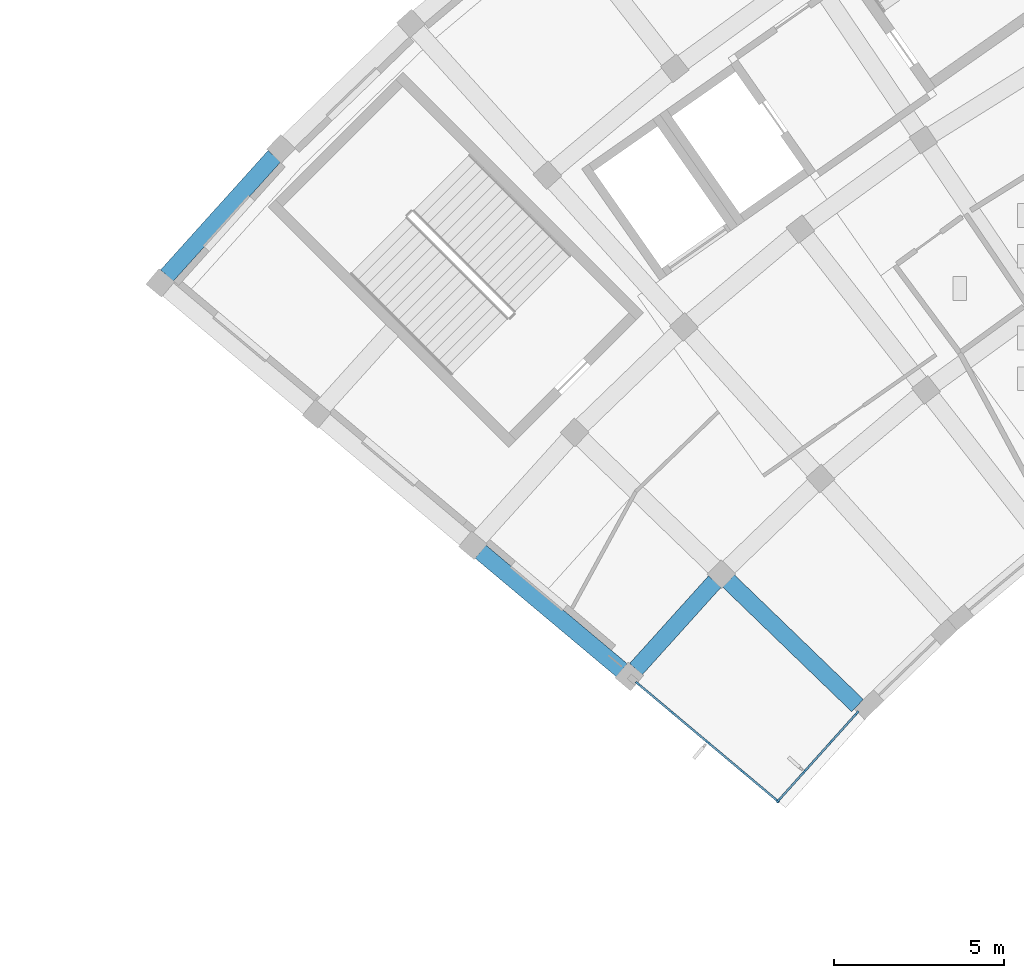
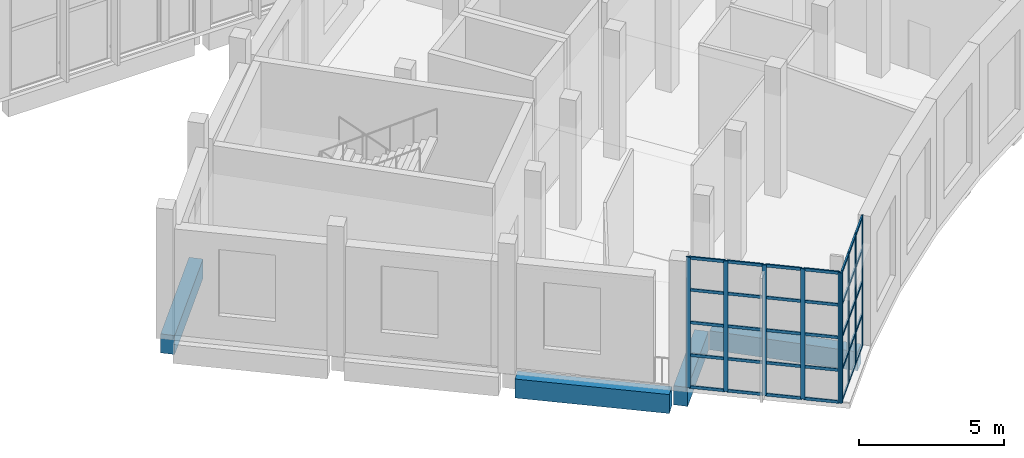
# One storey, part 3 of 132: 44 members, 4 beams, 2 elements without a shape of their own.
"""IFC4 building model written with IfcOpenShell, lengths in metres."""

from ifc_helpers import new_model, si_unit, direction, frame, origin, origin_2d, place, context, subcontext, project, spatial, rectangle, extrude, material, layer, layer_set, material_profile, profile_set, type_object, element, aggregate, save


model = new_model("IFC4")

# Units and contexts
model_context = context("Model", 3, precision=1e-05, world=origin(), true_north=direction((0.0, 1.0)))
body_context = subcontext(model_context, "Body", "Model", "MODEL_VIEW")
ifc_project = project(units=[si_unit("LENGTHUNIT", "METRE"), si_unit("AREAUNIT", "SQUARE_METRE"), si_unit("VOLUMEUNIT", "CUBIC_METRE"), si_unit("PLANEANGLEUNIT", "RADIAN"), si_unit("MASSUNIT", "GRAM", prefix="KILO")], contexts=[model_context])

# Site, building, storey
site_placement = place(None, origin())
site = spatial("IfcSite", under=ifc_project, at=site_placement, CompositionType="ELEMENT")
building_placement = place(site_placement, origin())
building = spatial("IfcBuilding", under=site, at=building_placement, Name="Lunette Opera House", CompositionType="ELEMENT")
storey_placement = place(building_placement, frame((0.0, 0.0, 17.0)))
storey = spatial("IfcBuildingStorey", under=building, at=storey_placement, Name="L03", CompositionType="ELEMENT", Elevation=17.0)

# Curtain wall, members
ifc_material_1 = material(Name="Aluminium", Category="aluminium")
ifc_layer = layer(ifc_material_1, 0.159912109375)
ifc_layer_set = layer_set([ifc_layer], Name="Aluminium")
curtain_wall_type = type_object("IfcCurtainWallType", Name="CORNER CURTAIN WALL", PredefinedType="NOTDEFINED", material=ifc_layer_set)
curtain_wall_1_placement = place(storey_placement, origin())
curtain_wall_1 = element("IfcCurtainWall", 1, at=curtain_wall_1_placement, inside=storey, type_object=curtain_wall_type, Name="Corner Curtain Wall GC-W1 L03", PredefinedType="NOTDEFINED")
ifc_material_2 = material(Name="Aluminium", Category="aluminium")
ifc_material_profile_1 = material_profile(ifc_material_2, rectangle(XDim=0.06005859375, YDim=0.159912109375, at=origin_2d()), Name="MULLION 60 X 160")
ifc_profile_set_1 = profile_set([ifc_material_profile_1], Name="Aluminium")
member_type_1 = type_object("IfcMemberType", Name="MULLION 60 X 160", PredefinedType="MULLION", material=ifc_profile_set_1)
member_1_placement = place(storey_placement, frame((58.25390625, 36.20068359375, 0.0), z_axis=(0.0, 0.0, 1.0), x_axis=(0.744216793887, -0.667938143615, 0.0)))
member_1 = element("IfcMember", 2, at=member_1_placement, type_object=member_type_1, Name="FC-X2167 mullion 1", PredefinedType="MULLION", context=body_context, shape_type="SweptSolid", body=[
    extrude(rectangle(XDim=0.06005859375, YDim=0.159912109375, at=origin_2d()), origin(), (0.0, 0.0, 1.0), 5.5),
])
member_2_placement = place(storey_placement, frame((57.49462890625, 35.354736328125, 0.0), z_axis=(0.0, 0.0, 1.0), x_axis=(0.744216793887, -0.667938143615, 0.0)))
member_2 = element("IfcMember", 3, at=member_2_placement, type_object=member_type_1, Name="FC-X2167 mullion 2", PredefinedType="MULLION", context=body_context, shape_type="SweptSolid", body=[
    extrude(rectangle(XDim=0.06005859375, YDim=0.159912109375, at=origin_2d()), origin(), (0.0, 0.0, 1.0), 5.5),
])
member_3_placement = place(storey_placement, frame((56.71533203125, 34.486328125, 0.0), z_axis=(0.0, 0.0, 1.0), x_axis=(0.744216793887, -0.667938143615, 0.0)))
member_3 = element("IfcMember", 4, at=member_3_placement, type_object=member_type_1, Name="FC-X2167 mullion 3", PredefinedType="MULLION", context=body_context, shape_type="SweptSolid", body=[
    extrude(rectangle(XDim=0.06005859375, YDim=0.159912109375, at=origin_2d()), origin(), (0.0, 0.0, 1.0), 5.5),
])
member_4_placement = place(storey_placement, frame((55.9560546875, 33.640380859375, 0.0), z_axis=(0.0, 0.0, 1.0), x_axis=(0.744216793887, -0.667938143615, 0.0)))
member_4 = element("IfcMember", 5, at=member_4_placement, type_object=member_type_1, Name="FC-X2167 mullion 4", PredefinedType="MULLION", context=body_context, shape_type="SweptSolid", body=[
    extrude(rectangle(XDim=0.06005859375, YDim=0.159912109375, at=origin_2d()), origin(), (0.0, 0.0, 1.0), 5.5),
])

curtain_wall_2_placement = place(storey_placement, origin())
curtain_wall_2 = element("IfcCurtainWall", 6, at=curtain_wall_2_placement, inside=storey, type_object=curtain_wall_type, Name="Corner Curtain Wall GC-W2 L03", PredefinedType="NOTDEFINED")
member_5_placement = place(storey_placement, frame((55.9130859375, 33.63720703125, 0.0), z_axis=(0.0, 0.0, 1.0), x_axis=(-0.642840201999, -0.766000309852, 0.0)))
member_5 = element("IfcMember", 7, at=member_5_placement, type_object=member_type_1, Name="FC-X2168 mullion 1", PredefinedType="MULLION", context=body_context, shape_type="SweptSolid", body=[
    extrude(rectangle(XDim=0.06005859375, YDim=0.159912109375, at=origin_2d()), origin(), (0.0, 0.0, 1.0), 5.5),
])
member_6_placement = place(storey_placement, frame((54.902099609375, 34.48583984375, 0.0), z_axis=(0.0, 0.0, 1.0), x_axis=(-0.642840201999, -0.766000309852, 0.0)))
member_6 = element("IfcMember", 8, at=member_6_placement, type_object=member_type_1, Name="FC-X2168 mullion 2", PredefinedType="MULLION", context=body_context, shape_type="SweptSolid", body=[
    extrude(rectangle(XDim=0.06005859375, YDim=0.159912109375, at=origin_2d()), origin(), (0.0, 0.0, 1.0), 5.5),
])
member_7_placement = place(storey_placement, frame((53.867919921875, 35.353515625, 0.0), z_axis=(0.0, 0.0, 1.0), x_axis=(-0.642840201999, -0.766000309852, 0.0)))
member_7 = element("IfcMember", 9, at=member_7_placement, type_object=member_type_1, Name="FC-X2168 mullion 3", PredefinedType="MULLION", context=body_context, shape_type="SweptSolid", body=[
    extrude(rectangle(XDim=0.06005859375, YDim=0.159912109375, at=origin_2d()), origin(), (0.0, 0.0, 1.0), 5.5),
])
member_8_placement = place(storey_placement, frame((52.833984375, 36.22119140625, 0.0), z_axis=(0.0, 0.0, 1.0), x_axis=(-0.642840201999, -0.766000309852, 0.0)))
member_8 = element("IfcMember", 10, at=member_8_placement, type_object=member_type_1, Name="FC-X2168 mullion 4", PredefinedType="MULLION", context=body_context, shape_type="SweptSolid", body=[
    extrude(rectangle(XDim=0.06005859375, YDim=0.159912109375, at=origin_2d()), origin(), (0.0, 0.0, 1.0), 5.5),
])
member_9_placement = place(storey_placement, frame((51.822998046875, 37.06982421875, 0.0), z_axis=(0.0, 0.0, 1.0), x_axis=(-0.642840201999, -0.766000309852, 0.0)))
member_9 = element("IfcMember", 11, at=member_9_placement, type_object=member_type_1, Name="FC-X2168 mullion 5", PredefinedType="MULLION", context=body_context, shape_type="SweptSolid", body=[
    extrude(rectangle(XDim=0.06005859375, YDim=0.159912109375, at=origin_2d()), origin(), (0.0, 0.0, 1.0), 5.5),
])

# Beams
ifc_material_3 = material(Name="Concrete C35/45", Category="concrete")
ifc_material_profile_2 = material_profile(ifc_material_3, rectangle(XDim=0.5, YDim=0.800048828125, at=origin_2d()), Name="RC BEAM 500X800")
ifc_profile_set_2 = profile_set([ifc_material_profile_2], Name="Concrete C35/45")
beam_type = type_object("IfcBeamType", Name="RC BEAM 500X800", PredefinedType="BEAM", material=ifc_profile_set_2)
beam_1_placement = place(storey_placement, frame((51.346923828125, 37.468017578125, -0.6201171875), z_axis=(-0.766038417281, 0.642794790932, 0.0), x_axis=(-0.642794790932, -0.766038417281, 0.0)))
element("IfcBeam", 12, at=beam_1_placement, inside=storey, type_object=beam_type, Name="beam-FC-L03-L03-RB-RL-01-2", PredefinedType="BEAM", context=body_context, shape_type="SweptSolid", body=[
    extrude(rectangle(XDim=0.5, YDim=0.800048828125, at=origin_2d()), origin(), (0.0, 0.0, 1.0), 5.419921875),
])
beam_2_placement = place(storey_placement, frame((58.278076171875, 36.427978515625, -0.6201171875), z_axis=(-0.719321635767, 0.694677179931, 0.0), x_axis=(-0.694677179931, -0.719321635767, 0.0)))
element("IfcBeam", 13, at=beam_2_placement, inside=storey, type_object=beam_type, Name="beam-FC-L03-L03-RB-RL-02-1", PredefinedType="BEAM", context=body_context, shape_type="SweptSolid", body=[
    extrude(rectangle(XDim=0.5, YDim=0.800048828125, at=origin_2d()), origin(), (0.0, 0.0, 1.0), 5.270263671875),
])
beam_3_placement = place(storey_placement, frame((51.762939453125, 37.498046875, -0.6201171875), z_axis=(0.66939642039, 0.742905399341, 0.0), x_axis=(-0.742905399341, 0.66939642039, 0.0)))
element("IfcBeam", 14, at=beam_3_placement, inside=storey, type_object=beam_type, Name="beam-FC-L03-L03-RG-AR-M1-RL-01", PredefinedType="BEAM", context=body_context, shape_type="SweptSolid", body=[
    extrude(rectangle(XDim=0.5, YDim=0.800048828125, at=origin_2d()), origin(), (0.0, 0.0, 1.0), 3.46728515625),
])
beam_4_placement = place(storey_placement, frame((37.97509765625, 49.068115234375, -0.6201171875), z_axis=(0.66921028661, 0.743073073322, 0.0), x_axis=(-0.743073073322, 0.66921028661, 0.0)))
element("IfcBeam", 15, at=beam_4_placement, inside=storey, type_object=beam_type, Name="beam-FC-L03-L03-RG-AR-C-RL-01", PredefinedType="BEAM", context=body_context, shape_type="SweptSolid", body=[
    extrude(rectangle(XDim=0.5, YDim=0.800048828125, at=origin_2d()), origin(), (0.0, 0.0, 1.0), 4.723388671875),
])

# Member
ifc_material_4 = material(Name="Aluminium", Category="aluminium")
ifc_material_profile_3 = material_profile(ifc_material_4, rectangle(XDim=0.06005859375, YDim=0.1201171875, at=origin_2d()), Name="TRANSOM 60 X 120")
ifc_profile_set_3 = profile_set([ifc_material_profile_3], Name="Aluminium")
member_type_2 = type_object("IfcMemberType", Name="TRANSOM 60 X 120", PredefinedType="USERDEFINED", material=ifc_profile_set_3)
member_10_placement = place(storey_placement, frame((58.23388671875, 36.178466796875, 0.030029296875), z_axis=(-0.667874323451, -0.744274067851, 0.0), x_axis=(0.744274067851, -0.667874323451, 0.0)))
member_10 = element("IfcMember", 16, at=member_10_placement, type_object=member_type_2, Name="FC-X2167 transom 1.1", ObjectType="TRANSOM", PredefinedType="USERDEFINED", context=body_context, shape_type="SweptSolid", body=[
    extrude(rectangle(XDim=0.06005859375, YDim=0.1201171875, at=origin_2d()), origin(), (0.0, 0.0, 1.0), 1.076904296875),
])

member_11_placement = place(storey_placement, frame((58.23388671875, 36.178466796875, 1.375), z_axis=(-0.667874323451, -0.744274067851, 0.0), x_axis=(0.744274067851, -0.667874323451, 0.0)))
member_11 = element("IfcMember", 17, at=member_11_placement, type_object=member_type_2, Name="FC-X2167 transom 1.2", ObjectType="TRANSOM", PredefinedType="USERDEFINED", context=body_context, shape_type="SweptSolid", body=[
    extrude(rectangle(XDim=0.06005859375, YDim=0.1201171875, at=origin_2d()), origin(), (0.0, 0.0, 1.0), 1.076904296875),
])

member_12_placement = place(storey_placement, frame((58.23388671875, 36.178466796875, 2.75), z_axis=(-0.667874323451, -0.744274067851, 0.0), x_axis=(0.744274067851, -0.667874323451, 0.0)))
member_12 = element("IfcMember", 18, at=member_12_placement, type_object=member_type_2, Name="FC-X2167 transom 1.3", ObjectType="TRANSOM", PredefinedType="USERDEFINED", context=body_context, shape_type="SweptSolid", body=[
    extrude(rectangle(XDim=0.06005859375, YDim=0.1201171875, at=origin_2d()), origin(), (0.0, 0.0, 1.0), 1.076904296875),
])

member_13_placement = place(storey_placement, frame((58.23388671875, 36.178466796875, 4.125), z_axis=(-0.667874323451, -0.744274067851, 0.0), x_axis=(0.744274067851, -0.667874323451, 0.0)))
member_13 = element("IfcMember", 19, at=member_13_placement, type_object=member_type_2, Name="FC-X2167 transom 1.4", ObjectType="TRANSOM", PredefinedType="USERDEFINED", context=body_context, shape_type="SweptSolid", body=[
    extrude(rectangle(XDim=0.06005859375, YDim=0.1201171875, at=origin_2d()), origin(), (0.0, 0.0, 1.0), 1.076904296875),
])

member_14_placement = place(storey_placement, frame((58.23388671875, 36.178466796875, 5.469970703125), z_axis=(-0.667874323451, -0.744274067851, 0.0), x_axis=(0.744274067851, -0.667874323451, 0.0)))
member_14 = element("IfcMember", 20, at=member_14_placement, type_object=member_type_2, Name="FC-X2167 transom 1.5", ObjectType="TRANSOM", PredefinedType="USERDEFINED", context=body_context, shape_type="SweptSolid", body=[
    extrude(rectangle(XDim=0.06005859375, YDim=0.1201171875, at=origin_2d()), origin(), (0.0, 0.0, 1.0), 1.076904296875),
])

member_15_placement = place(storey_placement, frame((57.474609375, 35.332275390625, 0.030029296875), z_axis=(-0.667916007316, -0.744236660728, 0.0), x_axis=(0.744236660728, -0.667916007316, 0.0)))
member_15 = element("IfcMember", 21, at=member_15_placement, type_object=member_type_2, Name="FC-X2167 transom 2.1", ObjectType="TRANSOM", PredefinedType="USERDEFINED", context=body_context, shape_type="SweptSolid", body=[
    extrude(rectangle(XDim=0.06005859375, YDim=0.1201171875, at=origin_2d()), origin(), (0.0, 0.0, 1.0), 1.10693359375),
])

member_16_placement = place(storey_placement, frame((57.474609375, 35.332275390625, 1.375), z_axis=(-0.667916007316, -0.744236660728, 0.0), x_axis=(0.744236660728, -0.667916007316, 0.0)))
member_16 = element("IfcMember", 22, at=member_16_placement, type_object=member_type_2, Name="FC-X2167 transom 2.2", ObjectType="TRANSOM", PredefinedType="USERDEFINED", context=body_context, shape_type="SweptSolid", body=[
    extrude(rectangle(XDim=0.06005859375, YDim=0.1201171875, at=origin_2d()), origin(), (0.0, 0.0, 1.0), 1.10693359375),
])

member_17_placement = place(storey_placement, frame((57.474609375, 35.332275390625, 2.75), z_axis=(-0.667916007316, -0.744236660728, 0.0), x_axis=(0.744236660728, -0.667916007316, 0.0)))
member_17 = element("IfcMember", 23, at=member_17_placement, type_object=member_type_2, Name="FC-X2167 transom 2.3", ObjectType="TRANSOM", PredefinedType="USERDEFINED", context=body_context, shape_type="SweptSolid", body=[
    extrude(rectangle(XDim=0.06005859375, YDim=0.1201171875, at=origin_2d()), origin(), (0.0, 0.0, 1.0), 1.10693359375),
])

member_18_placement = place(storey_placement, frame((57.474609375, 35.332275390625, 4.125), z_axis=(-0.667916007316, -0.744236660728, 0.0), x_axis=(0.744236660728, -0.667916007316, 0.0)))
member_18 = element("IfcMember", 24, at=member_18_placement, type_object=member_type_2, Name="FC-X2167 transom 2.4", ObjectType="TRANSOM", PredefinedType="USERDEFINED", context=body_context, shape_type="SweptSolid", body=[
    extrude(rectangle(XDim=0.06005859375, YDim=0.1201171875, at=origin_2d()), origin(), (0.0, 0.0, 1.0), 1.10693359375),
])

member_19_placement = place(storey_placement, frame((57.474609375, 35.332275390625, 5.469970703125), z_axis=(-0.667916007316, -0.744236660728, 0.0), x_axis=(0.744236660728, -0.667916007316, 0.0)))
member_19 = element("IfcMember", 25, at=member_19_placement, type_object=member_type_2, Name="FC-X2167 transom 2.5", ObjectType="TRANSOM", PredefinedType="USERDEFINED", context=body_context, shape_type="SweptSolid", body=[
    extrude(rectangle(XDim=0.06005859375, YDim=0.1201171875, at=origin_2d()), origin(), (0.0, 0.0, 1.0), 1.10693359375),
])

member_20_placement = place(storey_placement, frame((56.6953125, 34.464111328125, 0.030029296875), z_axis=(-0.667874323451, -0.744274067851, 0.0), x_axis=(0.744274067851, -0.667874323451, 0.0)))
member_20 = element("IfcMember", 26, at=member_20_placement, type_object=member_type_2, Name="FC-X2167 transom 3.1", ObjectType="TRANSOM", PredefinedType="USERDEFINED", context=body_context, shape_type="SweptSolid", body=[
    extrude(rectangle(XDim=0.06005859375, YDim=0.1201171875, at=origin_2d()), origin(), (0.0, 0.0, 1.0), 1.076904296875),
])

member_21_placement = place(storey_placement, frame((56.6953125, 34.464111328125, 1.375), z_axis=(-0.667874323451, -0.744274067851, 0.0), x_axis=(0.744274067851, -0.667874323451, 0.0)))
member_21 = element("IfcMember", 27, at=member_21_placement, type_object=member_type_2, Name="FC-X2167 transom 3.2", ObjectType="TRANSOM", PredefinedType="USERDEFINED", context=body_context, shape_type="SweptSolid", body=[
    extrude(rectangle(XDim=0.06005859375, YDim=0.1201171875, at=origin_2d()), origin(), (0.0, 0.0, 1.0), 1.076904296875),
])

member_22_placement = place(storey_placement, frame((56.6953125, 34.464111328125, 2.75), z_axis=(-0.667874323451, -0.744274067851, 0.0), x_axis=(0.744274067851, -0.667874323451, 0.0)))
member_22 = element("IfcMember", 28, at=member_22_placement, type_object=member_type_2, Name="FC-X2167 transom 3.3", ObjectType="TRANSOM", PredefinedType="USERDEFINED", context=body_context, shape_type="SweptSolid", body=[
    extrude(rectangle(XDim=0.06005859375, YDim=0.1201171875, at=origin_2d()), origin(), (0.0, 0.0, 1.0), 1.076904296875),
])

member_23_placement = place(storey_placement, frame((56.6953125, 34.464111328125, 4.125), z_axis=(-0.667874323451, -0.744274067851, 0.0), x_axis=(0.744274067851, -0.667874323451, 0.0)))
member_23 = element("IfcMember", 29, at=member_23_placement, type_object=member_type_2, Name="FC-X2167 transom 3.4", ObjectType="TRANSOM", PredefinedType="USERDEFINED", context=body_context, shape_type="SweptSolid", body=[
    extrude(rectangle(XDim=0.06005859375, YDim=0.1201171875, at=origin_2d()), origin(), (0.0, 0.0, 1.0), 1.076904296875),
])

member_24_placement = place(storey_placement, frame((56.6953125, 34.464111328125, 5.469970703125), z_axis=(-0.667874323451, -0.744274067851, 0.0), x_axis=(0.744274067851, -0.667874323451, 0.0)))
member_24 = element("IfcMember", 30, at=member_24_placement, type_object=member_type_2, Name="FC-X2167 transom 3.5", ObjectType="TRANSOM", PredefinedType="USERDEFINED", context=body_context, shape_type="SweptSolid", body=[
    extrude(rectangle(XDim=0.06005859375, YDim=0.1201171875, at=origin_2d()), origin(), (0.0, 0.0, 1.0), 1.076904296875),
])

aggregate(curtain_wall_1, [member_1, member_2, member_3, member_4, member_10, member_11, member_12, member_13, member_14, member_15, member_16, member_17, member_18, member_19, member_20, member_21, member_22, member_23, member_24])

member_25_placement = place(storey_placement, frame((55.89013671875, 33.656494140625, 0.030029296875), z_axis=(-0.765945288288, 0.642905759307, 0.0), x_axis=(-0.642905759307, -0.765945288288, 0.0)))
member_25 = element("IfcMember", 31, at=member_25_placement, type_object=member_type_2, Name="FC-X2168 transom 1.1", ObjectType="TRANSOM", PredefinedType="USERDEFINED", context=body_context, shape_type="SweptSolid", body=[
    extrude(rectangle(XDim=0.06005859375, YDim=0.1201171875, at=origin_2d()), origin(), (0.0, 0.0, 1.0), 1.260009765625),
])

member_26_placement = place(storey_placement, frame((55.89013671875, 33.656494140625, 1.375), z_axis=(-0.765945288288, 0.642905759307, 0.0), x_axis=(-0.642905759307, -0.765945288288, 0.0)))
member_26 = element("IfcMember", 32, at=member_26_placement, type_object=member_type_2, Name="FC-X2168 transom 1.2", ObjectType="TRANSOM", PredefinedType="USERDEFINED", context=body_context, shape_type="SweptSolid", body=[
    extrude(rectangle(XDim=0.06005859375, YDim=0.1201171875, at=origin_2d()), origin(), (0.0, 0.0, 1.0), 1.260009765625),
])

member_27_placement = place(storey_placement, frame((55.89013671875, 33.656494140625, 2.75), z_axis=(-0.765945288288, 0.642905759307, 0.0), x_axis=(-0.642905759307, -0.765945288288, 0.0)))
member_27 = element("IfcMember", 33, at=member_27_placement, type_object=member_type_2, Name="FC-X2168 transom 1.3", ObjectType="TRANSOM", PredefinedType="USERDEFINED", context=body_context, shape_type="SweptSolid", body=[
    extrude(rectangle(XDim=0.06005859375, YDim=0.1201171875, at=origin_2d()), origin(), (0.0, 0.0, 1.0), 1.260009765625),
])

member_28_placement = place(storey_placement, frame((55.89013671875, 33.656494140625, 4.125), z_axis=(-0.765945288288, 0.642905759307, 0.0), x_axis=(-0.642905759307, -0.765945288288, 0.0)))
member_28 = element("IfcMember", 34, at=member_28_placement, type_object=member_type_2, Name="FC-X2168 transom 1.4", ObjectType="TRANSOM", PredefinedType="USERDEFINED", context=body_context, shape_type="SweptSolid", body=[
    extrude(rectangle(XDim=0.06005859375, YDim=0.1201171875, at=origin_2d()), origin(), (0.0, 0.0, 1.0), 1.260009765625),
])

member_29_placement = place(storey_placement, frame((55.89013671875, 33.656494140625, 5.469970703125), z_axis=(-0.765945288288, 0.642905759307, 0.0), x_axis=(-0.642905759307, -0.765945288288, 0.0)))
member_29 = element("IfcMember", 35, at=member_29_placement, type_object=member_type_2, Name="FC-X2168 transom 1.5", ObjectType="TRANSOM", PredefinedType="USERDEFINED", context=body_context, shape_type="SweptSolid", body=[
    extrude(rectangle(XDim=0.06005859375, YDim=0.1201171875, at=origin_2d()), origin(), (0.0, 0.0, 1.0), 1.260009765625),
])

member_30_placement = place(storey_placement, frame((54.87890625, 34.505126953125, 0.030029296875), z_axis=(-0.76602917681, 0.642805802927, 0.0), x_axis=(-0.642805802927, -0.76602917681, 0.0)))
member_30 = element("IfcMember", 36, at=member_30_placement, type_object=member_type_2, Name="FC-X2168 transom 2.1", ObjectType="TRANSOM", PredefinedType="USERDEFINED", context=body_context, shape_type="SweptSolid", body=[
    extrude(rectangle(XDim=0.06005859375, YDim=0.1201171875, at=origin_2d()), origin(), (0.0, 0.0, 1.0), 1.289794921875),
])

member_31_placement = place(storey_placement, frame((54.87890625, 34.505126953125, 1.375), z_axis=(-0.76602917681, 0.642805802927, 0.0), x_axis=(-0.642805802927, -0.76602917681, 0.0)))
member_31 = element("IfcMember", 37, at=member_31_placement, type_object=member_type_2, Name="FC-X2168 transom 2.2", ObjectType="TRANSOM", PredefinedType="USERDEFINED", context=body_context, shape_type="SweptSolid", body=[
    extrude(rectangle(XDim=0.06005859375, YDim=0.1201171875, at=origin_2d()), origin(), (0.0, 0.0, 1.0), 1.289794921875),
])

member_32_placement = place(storey_placement, frame((54.87890625, 34.505126953125, 2.75), z_axis=(-0.76602917681, 0.642805802927, 0.0), x_axis=(-0.642805802927, -0.76602917681, 0.0)))
member_32 = element("IfcMember", 38, at=member_32_placement, type_object=member_type_2, Name="FC-X2168 transom 2.3", ObjectType="TRANSOM", PredefinedType="USERDEFINED", context=body_context, shape_type="SweptSolid", body=[
    extrude(rectangle(XDim=0.06005859375, YDim=0.1201171875, at=origin_2d()), origin(), (0.0, 0.0, 1.0), 1.289794921875),
])

member_33_placement = place(storey_placement, frame((54.87890625, 34.505126953125, 4.125), z_axis=(-0.76602917681, 0.642805802927, 0.0), x_axis=(-0.642805802927, -0.76602917681, 0.0)))
member_33 = element("IfcMember", 39, at=member_33_placement, type_object=member_type_2, Name="FC-X2168 transom 2.4", ObjectType="TRANSOM", PredefinedType="USERDEFINED", context=body_context, shape_type="SweptSolid", body=[
    extrude(rectangle(XDim=0.06005859375, YDim=0.1201171875, at=origin_2d()), origin(), (0.0, 0.0, 1.0), 1.289794921875),
])

member_34_placement = place(storey_placement, frame((54.87890625, 34.505126953125, 5.469970703125), z_axis=(-0.76602917681, 0.642805802927, 0.0), x_axis=(-0.642805802927, -0.76602917681, 0.0)))
member_34 = element("IfcMember", 40, at=member_34_placement, type_object=member_type_2, Name="FC-X2168 transom 2.5", ObjectType="TRANSOM", PredefinedType="USERDEFINED", context=body_context, shape_type="SweptSolid", body=[
    extrude(rectangle(XDim=0.06005859375, YDim=0.1201171875, at=origin_2d()), origin(), (0.0, 0.0, 1.0), 1.289794921875),
])

member_35_placement = place(storey_placement, frame((53.844970703125, 35.372802734375, 0.030029296875), z_axis=(-0.76602917681, 0.642805802927, 0.0), x_axis=(-0.642805802927, -0.76602917681, 0.0)))
member_35 = element("IfcMember", 41, at=member_35_placement, type_object=member_type_2, Name="FC-X2168 transom 3.1", ObjectType="TRANSOM", PredefinedType="USERDEFINED", context=body_context, shape_type="SweptSolid", body=[
    extrude(rectangle(XDim=0.06005859375, YDim=0.1201171875, at=origin_2d()), origin(), (0.0, 0.0, 1.0), 1.289794921875),
])

member_36_placement = place(storey_placement, frame((53.844970703125, 35.372802734375, 1.375), z_axis=(-0.76602917681, 0.642805802927, 0.0), x_axis=(-0.642805802927, -0.76602917681, 0.0)))
member_36 = element("IfcMember", 42, at=member_36_placement, type_object=member_type_2, Name="FC-X2168 transom 3.2", ObjectType="TRANSOM", PredefinedType="USERDEFINED", context=body_context, shape_type="SweptSolid", body=[
    extrude(rectangle(XDim=0.06005859375, YDim=0.1201171875, at=origin_2d()), origin(), (0.0, 0.0, 1.0), 1.289794921875),
])

member_37_placement = place(storey_placement, frame((53.844970703125, 35.372802734375, 2.75), z_axis=(-0.76602917681, 0.642805802927, 0.0), x_axis=(-0.642805802927, -0.76602917681, 0.0)))
member_37 = element("IfcMember", 43, at=member_37_placement, type_object=member_type_2, Name="FC-X2168 transom 3.3", ObjectType="TRANSOM", PredefinedType="USERDEFINED", context=body_context, shape_type="SweptSolid", body=[
    extrude(rectangle(XDim=0.06005859375, YDim=0.1201171875, at=origin_2d()), origin(), (0.0, 0.0, 1.0), 1.289794921875),
])

member_38_placement = place(storey_placement, frame((53.844970703125, 35.372802734375, 4.125), z_axis=(-0.76602917681, 0.642805802927, 0.0), x_axis=(-0.642805802927, -0.76602917681, 0.0)))
member_38 = element("IfcMember", 44, at=member_38_placement, type_object=member_type_2, Name="FC-X2168 transom 3.4", ObjectType="TRANSOM", PredefinedType="USERDEFINED", context=body_context, shape_type="SweptSolid", body=[
    extrude(rectangle(XDim=0.06005859375, YDim=0.1201171875, at=origin_2d()), origin(), (0.0, 0.0, 1.0), 1.289794921875),
])

member_39_placement = place(storey_placement, frame((53.844970703125, 35.372802734375, 5.469970703125), z_axis=(-0.76602917681, 0.642805802927, 0.0), x_axis=(-0.642805802927, -0.76602917681, 0.0)))
member_39 = element("IfcMember", 45, at=member_39_placement, type_object=member_type_2, Name="FC-X2168 transom 3.5", ObjectType="TRANSOM", PredefinedType="USERDEFINED", context=body_context, shape_type="SweptSolid", body=[
    extrude(rectangle(XDim=0.06005859375, YDim=0.1201171875, at=origin_2d()), origin(), (0.0, 0.0, 1.0), 1.289794921875),
])

member_40_placement = place(storey_placement, frame((52.81103515625, 36.240478515625, 0.030029296875), z_axis=(-0.765945288288, 0.642905759307, 0.0), x_axis=(-0.642905759307, -0.765945288288, 0.0)))
member_40 = element("IfcMember", 46, at=member_40_placement, type_object=member_type_2, Name="FC-X2168 transom 4.1", ObjectType="TRANSOM", PredefinedType="USERDEFINED", context=body_context, shape_type="SweptSolid", body=[
    extrude(rectangle(XDim=0.06005859375, YDim=0.1201171875, at=origin_2d()), origin(), (0.0, 0.0, 1.0), 1.260009765625),
])

member_41_placement = place(storey_placement, frame((52.81103515625, 36.240478515625, 1.375), z_axis=(-0.765945288288, 0.642905759307, 0.0), x_axis=(-0.642905759307, -0.765945288288, 0.0)))
member_41 = element("IfcMember", 47, at=member_41_placement, type_object=member_type_2, Name="FC-X2168 transom 4.2", ObjectType="TRANSOM", PredefinedType="USERDEFINED", context=body_context, shape_type="SweptSolid", body=[
    extrude(rectangle(XDim=0.06005859375, YDim=0.1201171875, at=origin_2d()), origin(), (0.0, 0.0, 1.0), 1.260009765625),
])

member_42_placement = place(storey_placement, frame((52.81103515625, 36.240478515625, 2.75), z_axis=(-0.765945288288, 0.642905759307, 0.0), x_axis=(-0.642905759307, -0.765945288288, 0.0)))
member_42 = element("IfcMember", 48, at=member_42_placement, type_object=member_type_2, Name="FC-X2168 transom 4.3", ObjectType="TRANSOM", PredefinedType="USERDEFINED", context=body_context, shape_type="SweptSolid", body=[
    extrude(rectangle(XDim=0.06005859375, YDim=0.1201171875, at=origin_2d()), origin(), (0.0, 0.0, 1.0), 1.260009765625),
])

member_43_placement = place(storey_placement, frame((52.81103515625, 36.240478515625, 4.125), z_axis=(-0.765945288288, 0.642905759307, 0.0), x_axis=(-0.642905759307, -0.765945288288, 0.0)))
member_43 = element("IfcMember", 49, at=member_43_placement, type_object=member_type_2, Name="FC-X2168 transom 4.4", ObjectType="TRANSOM", PredefinedType="USERDEFINED", context=body_context, shape_type="SweptSolid", body=[
    extrude(rectangle(XDim=0.06005859375, YDim=0.1201171875, at=origin_2d()), origin(), (0.0, 0.0, 1.0), 1.260009765625),
])

member_44_placement = place(storey_placement, frame((52.81103515625, 36.240478515625, 5.469970703125), z_axis=(-0.765945288288, 0.642905759307, 0.0), x_axis=(-0.642905759307, -0.765945288288, 0.0)))
member_44 = element("IfcMember", 50, at=member_44_placement, type_object=member_type_2, Name="FC-X2168 transom 4.5", ObjectType="TRANSOM", PredefinedType="USERDEFINED", context=body_context, shape_type="SweptSolid", body=[
    extrude(rectangle(XDim=0.06005859375, YDim=0.1201171875, at=origin_2d()), origin(), (0.0, 0.0, 1.0), 1.260009765625),
])

aggregate(curtain_wall_2, [member_5, member_6, member_7, member_8, member_9, member_25, member_26, member_27, member_28, member_29, member_30, member_31, member_32, member_33, member_34, member_35, member_36, member_37, member_38, member_39, member_40, member_41, member_42, member_43, member_44])

save(model, "model.ifc")
